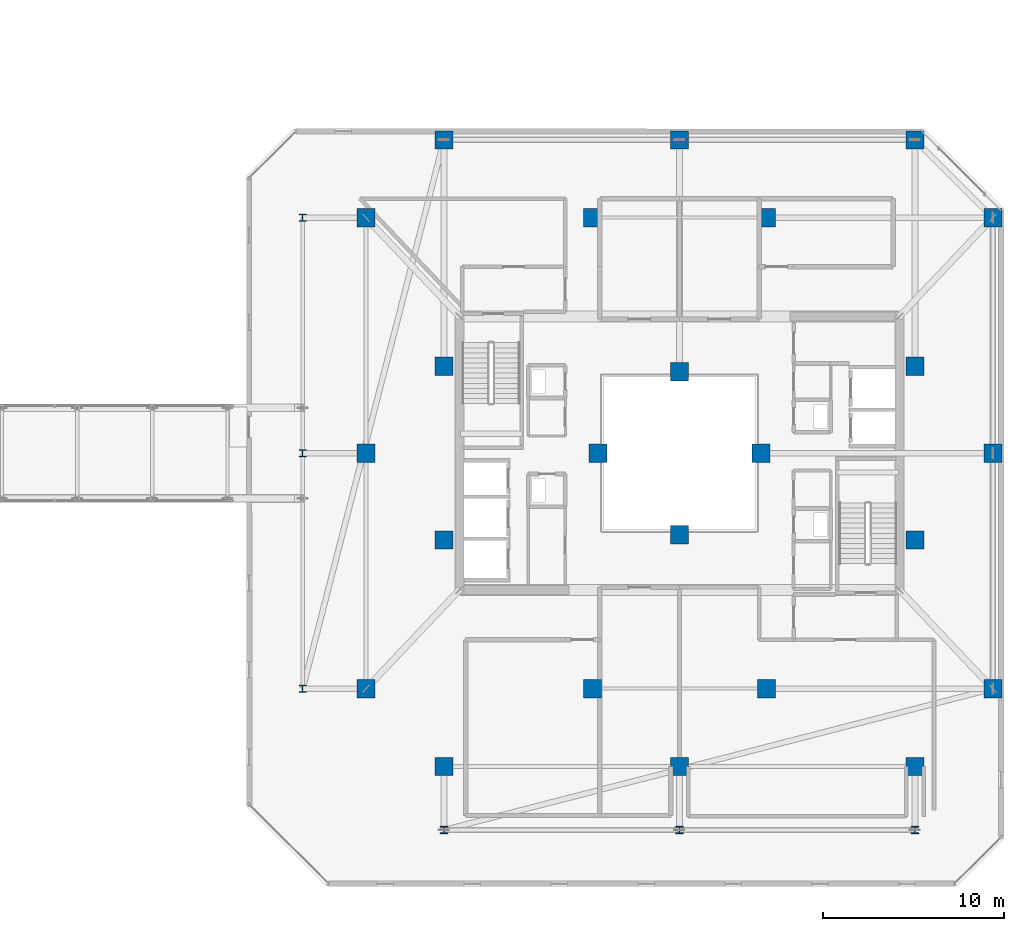
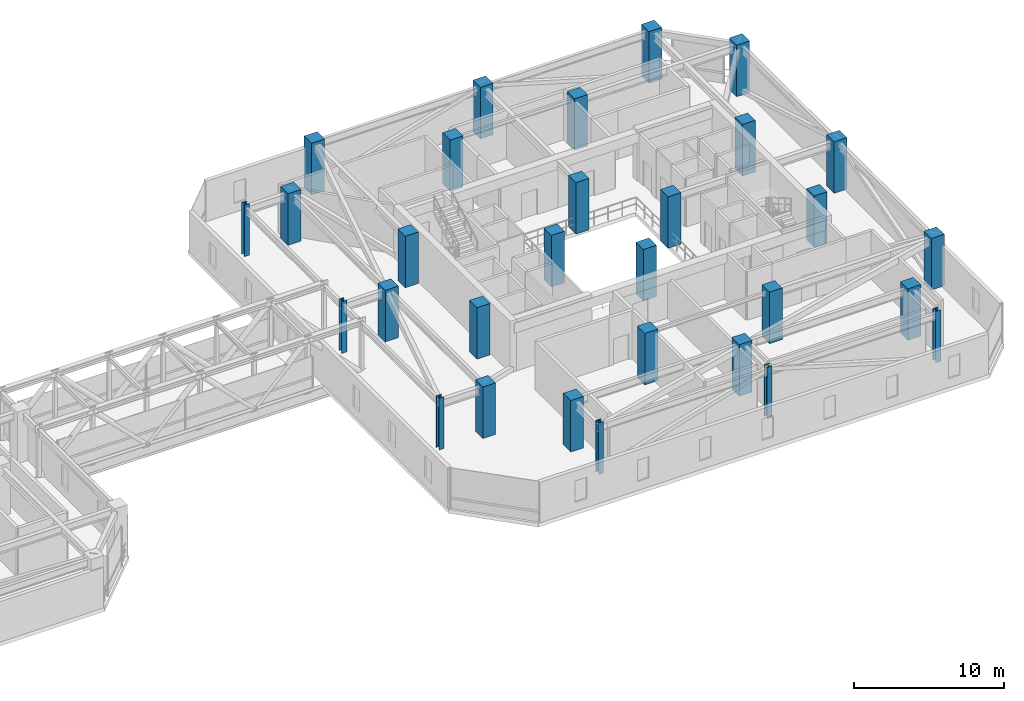
# One storey, part 2 of 42: 30 columns.
"""IFC4 building model written with IfcOpenShell, lengths in metres."""

from ifc_helpers import new_model, si_unit, direction, frame, origin, origin_2d, place, context, subcontext, project, spatial, rectangle, i_section, extrude, material, material_profile, profile_set, type_object, element, save


model = new_model("IFC4")

# Units and contexts
model_context = context("Model", 3, precision=1e-05, world=origin(), true_north=direction((0.0, 1.0)))
body_context = subcontext(model_context, "Body", "Model", "MODEL_VIEW")
ifc_project = project(units=[si_unit("LENGTHUNIT", "METRE"), si_unit("AREAUNIT", "SQUARE_METRE"), si_unit("VOLUMEUNIT", "CUBIC_METRE"), si_unit("PLANEANGLEUNIT", "RADIAN"), si_unit("MASSUNIT", "GRAM", prefix="KILO")], contexts=[model_context])

# Site, building, storey
site_placement = place(None, origin())
site = spatial("IfcSite", under=ifc_project, at=site_placement, CompositionType="ELEMENT")
building_placement = place(site_placement, origin())
building = spatial("IfcBuilding", under=site, at=building_placement, Name="Thornwick Lancets Civic Towers", CompositionType="ELEMENT")
storey_placement = place(building_placement, frame((0.0, 0.0, 221.699951171875)))
storey = spatial("IfcBuildingStorey", under=building, at=storey_placement, Name="L59", CompositionType="ELEMENT", Elevation=221.699951171875)

# Columns
ifc_material_1 = material(Name="Concrete C50/60", Category="concrete")
ifc_material_profile_1 = material_profile(ifc_material_1, rectangle(XDim=1.0, YDim=1.0, at=origin_2d()), Name="RC 1000x1000")
ifc_profile_set_1 = profile_set([ifc_material_profile_1], Name="Concrete C50/60")
column_type_1 = type_object("IfcColumnType", Name="COL_RC_1000", PredefinedType="COLUMN", material=ifc_profile_set_1)
for number, where, z_axis, x_axis, name in (
    (1, (105.800048828125, 14.0, 0.0), (0.0, 0.0, 1.0), (1.0, 0.0, 0.0), "L59 Spine Mega-Column B01"),
    (2, (105.800048828125, 27.0, 0.0), (0.0, 0.0, 1.0), (1.0, 0.0, 0.0), "L59 Spine Mega-Column B02"),
    (3, (105.800048828125, 40.0, 0.0), (0.0, 0.0, 1.0), (1.0, 0.0, 0.0), "L59 Spine Mega-Column B03"),
    (4, (101.5, 44.300048828125, 0.0), (0.0, 0.0, 1.0), (1.0, 0.0, 0.0), "L59 Spine Mega-Column B04"),
    (5, (88.5, 44.300048828125, 0.0), (0.0, 0.0, 1.0), (1.0, 0.0, 0.0), "L59 Spine Mega-Column B05"),
    (6, (75.5, 44.300048828125, 0.0), (0.0, 0.0, 1.0), (1.0, 0.0, 0.0), "L59 Spine Mega-Column B06"),
    (7, (71.199951171875, 14.0, 0.0), (0.0, 0.0, 1.0), (1.0, 0.0, 0.0), "L59 Spine Mega-Column B07"),
    (8, (71.199951171875, 27.0, 0.0), (0.0, 0.0, 1.0), (1.0, 0.0, 0.0), "L59 Spine Mega-Column B08"),
    (9, (71.199951171875, 40.0, 0.0), (0.0, 0.0, 1.0), (1.0, 0.0, 0.0), "L59 Spine Mega-Column B09"),
    (10, (101.5, 9.699951171875, 0.0), (0.0, 0.0, 1.0), (1.0, 0.0, 0.0), "L59 Spine Mega-Column B10"),
    (11, (88.5, 9.699951171875, 0.0), (0.0, 0.0, 1.0), (1.0, 0.0, 0.0), "L59 Spine Mega-Column B11"),
    (12, (75.5, 9.699951171875, 0.0), (0.0, 0.0, 1.0), (1.0, 0.0, 0.0), "L59 Spine Mega-Column B12"),
    (13, (93.300048828125, 14.0, 0.0), (0.0, 0.0, 1.0), (1.0, 0.0, 0.0), "L59 Spine Mega-Column B13"),
    (14, (93.300048828125, 40.0, 0.0), (0.0, 0.0, 1.0), (1.0, 0.0, 0.0), "L59 Spine Mega-Column B14"),
    (15, (83.699951171875, 14.0, 0.0), (0.0, 0.0, 1.0), (1.0, 0.0, 0.0), "L59 Spine Mega-Column B15"),
    (16, (83.699951171875, 40.0, 0.0), (0.0, 0.0, 1.0), (1.0, 0.0, 0.0), "L59 Spine Mega-Column B16"),
    (17, (101.5, 22.199951171875, 0.0), (0.0, 0.0, 1.0), (1.0, 0.0, 0.0), "L59 Spine Mega-Column B17"),
    (18, (101.5, 31.800048828125, 0.0), (0.0, 0.0, 1.0), (1.0, 0.0, 0.0), "L59 Spine Mega-Column B18"),
    (19, (75.5, 22.199951171875, 0.0), (0.0, 0.0, 1.0), (1.0, 0.0, 0.0), "L59 Spine Mega-Column B19"),
    (20, (75.5, 31.800048828125, 0.0), (0.0, 0.0, 1.0), (1.0, 0.0, 0.0), "L59 Spine Mega-Column B20"),
    (21, (93.0, 27.0, 0.0), (0.0, 0.0, 1.0), (1.0, 0.0, 0.0), "L59 Spine Mega-Column B21"),
    (22, (84.0, 27.0, 0.0), (0.0, 0.0, 1.0), (1.0, 0.0, 0.0), "L59 Spine Mega-Column B22"),
    (23, (88.5, 22.5, 0.0), (0.0, 0.0, 1.0), (1.0, 0.0, 0.0), "L59 Spine Mega-Column B23"),
    (24, (88.5, 31.5, 0.0), (0.0, 0.0, 1.0), (1.0, 0.0, 0.0), "L59 Spine Mega-Column B24"),
):
    element("IfcColumn", number, at=place(storey_placement, frame(where, z_axis=z_axis, x_axis=x_axis)), inside=storey, type_object=column_type_1, Name=name, PredefinedType="COLUMN", context=body_context, shape_type="SweptSolid", body=[
        extrude(rectangle(XDim=1.0, YDim=1.0, at=origin_2d()), origin(), (0.0, 0.0, 1.0), 4.199951171875),
    ])
ifc_material_2 = material(Name="Steel S355JR", Category="steel")
ifc_material_profile_2 = material_profile(ifc_material_2, i_section(OverallWidth=0.39892578125, OverallDepth=0.3935546875, WebThickness=0.022705078125, FlangeThickness=0.03662109375, FilletRadius=0.01513671875, at=origin_2d()), Name="UKC 356x406x287")
ifc_profile_set_2 = profile_set([ifc_material_profile_2], Name="Steel S355JR")
column_type_2 = type_object("IfcColumnType", Name="COL_UKC_287", PredefinedType="COLUMN", material=ifc_profile_set_2)
for number, where, z_axis, x_axis, name in (
    (25, (67.699951171875, 14.0, 0.0), (0.0, 0.0, 1.0), (1.0, 0.0, 0.0), "L59 Block Perimeter Column B07"),
    (26, (67.699951171875, 27.0, 0.0), (0.0, 0.0, 1.0), (1.0, 0.0, 0.0), "L59 Block Perimeter Column B08"),
    (27, (67.699951171875, 40.0, 0.0), (0.0, 0.0, 1.0), (1.0, 0.0, 0.0), "L59 Block Perimeter Column B09"),
    (28, (101.5, 6.199951171875, 0.0), (0.0, 0.0, 1.0), (1.0, 0.0, 0.0), "L59 Block Perimeter Column B10"),
    (29, (88.5, 6.199951171875, 0.0), (0.0, 0.0, 1.0), (1.0, 0.0, 0.0), "L59 Block Perimeter Column B11"),
    (30, (75.5, 6.199951171875, 0.0), (0.0, 0.0, 1.0), (1.0, 0.0, 0.0), "L59 Block Perimeter Column B12"),
):
    element("IfcColumn", number, at=place(storey_placement, frame(where, z_axis=z_axis, x_axis=x_axis)), inside=storey, type_object=column_type_2, Name=name, PredefinedType="COLUMN", context=body_context, shape_type="SweptSolid", body=[
        extrude(i_section(OverallWidth=0.39892578125, OverallDepth=0.3935546875, WebThickness=0.022705078125, FlangeThickness=0.03662109375, FilletRadius=0.01513671875, at=origin_2d()), origin(), (0.0, 0.0, 1.0), 4.199951171875),
    ])

save(model, "model.ifc")
